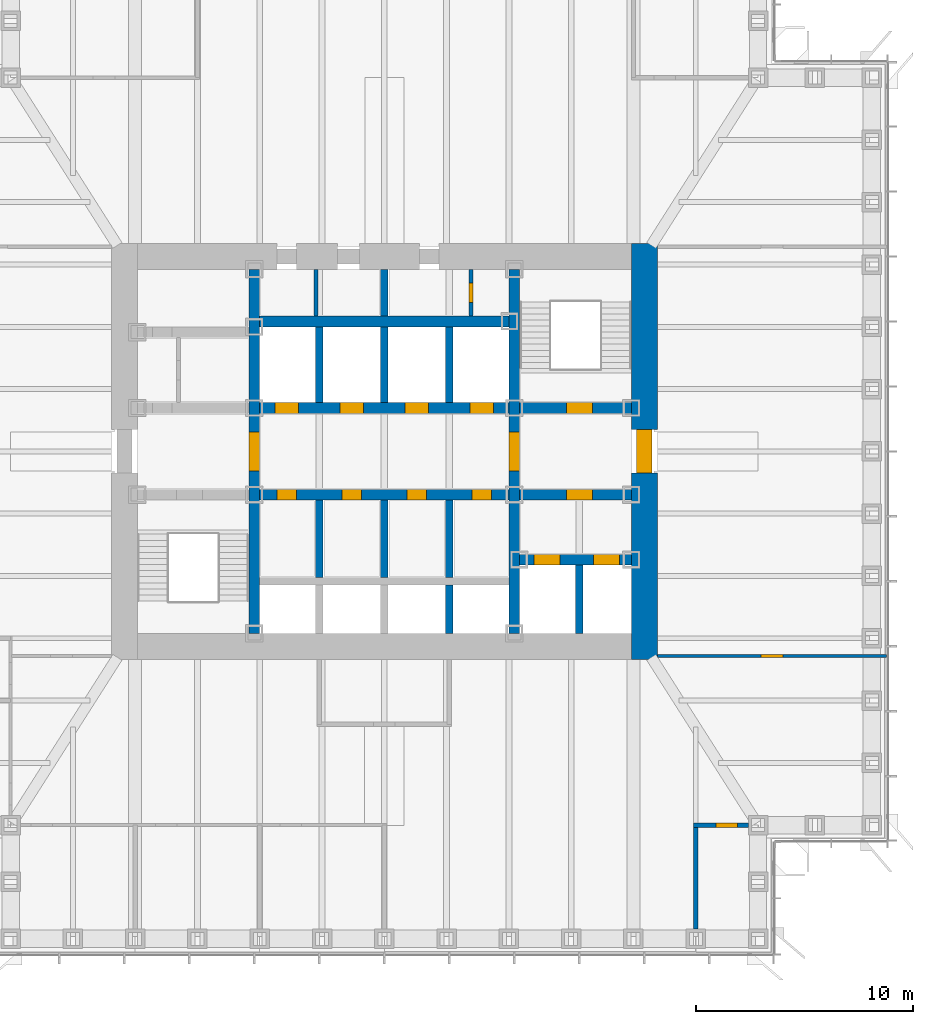
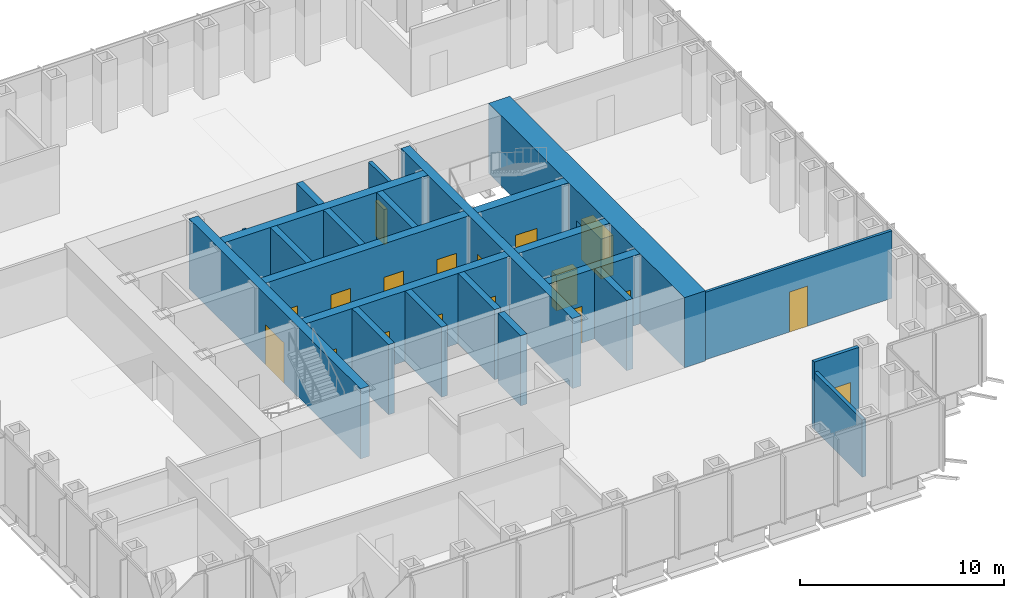
# One storey, part 9 of 17: 23 walls, 18 doors, 18 openings.
"""IFC4 building model written with IfcOpenShell, lengths in metres."""

from ifc_helpers import new_model, si_unit, direction, frame, frame_2d, origin, place, context, subcontext, project, spatial, rectangle, extrude, material, layer, layer_set, type_object, element, fill, save


model = new_model("IFC4")

# Units and contexts
model_context = context("Model", 3, precision=1e-05, world=origin(), true_north=direction((0.0, 1.0)))
body_context = subcontext(model_context, "Body", "Model", "MODEL_VIEW")
ifc_project = project(units=[si_unit("LENGTHUNIT", "METRE"), si_unit("AREAUNIT", "SQUARE_METRE"), si_unit("VOLUMEUNIT", "CUBIC_METRE"), si_unit("PLANEANGLEUNIT", "RADIAN"), si_unit("MASSUNIT", "GRAM", prefix="KILO")], contexts=[model_context])

# Site, building, storey
site_placement = place(None, origin())
site = spatial("IfcSite", under=ifc_project, at=site_placement, CompositionType="ELEMENT")
building_placement = place(site_placement, origin())
building = spatial("IfcBuilding", under=site, at=building_placement, Name="Daluyong Arena Tower", CompositionType="ELEMENT")
storey_placement = place(building_placement, frame((0.0, 0.0, 112.300048828125)))
storey = spatial("IfcBuildingStorey", under=building, at=storey_placement, Name="L24", CompositionType="ELEMENT", Elevation=112.300048828125)

# Wall, opening, door
ifc_material_1 = material(Name="Concrete fc' 45 MPa", Category="concrete")
ifc_layer_1 = layer(ifc_material_1, 0.5)
ifc_layer_set_1 = layer_set([ifc_layer_1], Name="Concrete fc' 45 MPa")
wall_type_1 = type_object("IfcWallType", Name="Core inner wall 500", PredefinedType="SHEAR", material=ifc_layer_set_1)
wall_1_placement = place(storey_placement, frame((50.0, 71.60009765625, 0.0), z_axis=(0.0, 0.0, 1.0), x_axis=(0.0, 1.0, 0.0)))
wall_1 = element("IfcWall", 1, at=wall_1_placement, inside=storey, type_object=wall_type_1, Name="core inner wall at L24", PredefinedType="SHEAR", context=body_context, shape_type="SweptSolid", body=[
    extrude(rectangle(XDim=16.7998046875, YDim=0.5, at=frame_2d((8.39990234375, 0.0))), origin(), (0.0, 0.0, 1.0), 4.199951171875),
])
opening_1_placement = place(wall_1_placement, frame((7.5, 0.0, 0.0)))
opening_1 = element("IfcOpeningElement", 2, at=opening_1_placement, cuts=wall_1, Name="Opening 24016", PredefinedType="OPENING", context=body_context, shape_type="SweptSolid", body=[
    extrude(rectangle(XDim=1.800048828125, YDim=2.39990234375, at=frame_2d((0.89990234375, 1.199951171875))), frame((0.0, 0.260009765625, 0.0), z_axis=(0.0, -1.0, 0.0), x_axis=(1.0, 0.0, 0.0)), (0.0, 0.0, 1.0), 0.52001953125),
])
ifc_material_2 = material(Name="Steel door, fire rated", Category="steel")
door_type_1 = type_object("IfcDoorType", Name="Lift lobby opening door 1800", OperationType="DOUBLE_DOOR_SINGLE_SWING", PredefinedType="DOOR", material=ifc_material_2)
door_1_placement = place(opening_1_placement, origin())
door_1 = element("IfcDoor", 3, at=door_1_placement, inside=storey, type_object=door_type_1, Name="lift lobby door west 24016", OperationType="DOUBLE_DOOR_SINGLE_SWING", OverallHeight=2.39990234375, OverallWidth=1.800048828125, PredefinedType="DOOR", context=body_context, shape_type="SweptSolid", body=[
    extrude(rectangle(XDim=1.800048828125, YDim=2.39990234375, at=frame_2d((0.89990234375, 1.199951171875))), frame((0.0, 0.249755859375, 0.0), z_axis=(0.0, -1.0, 0.0), x_axis=(1.0, 0.0, 0.0)), (0.0, 0.0, 1.0), 0.49951171875),
])
fill(opening_1, door_1)

wall_2_placement = place(storey_placement, frame((62.0, 71.60009765625, 0.0), z_axis=(0.0, 0.0, 1.0), x_axis=(0.0, 1.0, 0.0)))
wall_2 = element("IfcWall", 4, at=wall_2_placement, inside=storey, type_object=wall_type_1, Name="core inner wall at L24", PredefinedType="SHEAR", context=body_context, shape_type="SweptSolid", body=[
    extrude(rectangle(XDim=16.7998046875, YDim=0.5, at=frame_2d((8.39990234375, 0.0))), origin(), (0.0, 0.0, 1.0), 4.199951171875),
])
opening_2_placement = place(wall_2_placement, frame((7.5, 0.0, 0.0)))
opening_2 = element("IfcOpeningElement", 5, at=opening_2_placement, cuts=wall_2, Name="Opening 24017", PredefinedType="OPENING", context=body_context, shape_type="SweptSolid", body=[
    extrude(rectangle(XDim=1.800048828125, YDim=2.39990234375, at=frame_2d((0.89990234375, 1.199951171875))), frame((0.0, 0.260009765625, 0.0), z_axis=(0.0, -1.0, 0.0), x_axis=(1.0, 0.0, 0.0)), (0.0, 0.0, 1.0), 0.52001953125),
])
door_2_placement = place(opening_2_placement, origin())
door_2 = element("IfcDoor", 6, at=door_2_placement, inside=storey, type_object=door_type_1, Name="lift lobby door east 24017", OperationType="DOUBLE_DOOR_SINGLE_SWING", OverallHeight=2.39990234375, OverallWidth=1.800048828125, PredefinedType="DOOR", context=body_context, shape_type="SweptSolid", body=[
    extrude(rectangle(XDim=1.800048828125, YDim=2.39990234375, at=frame_2d((0.89990234375, 1.199951171875))), frame((0.0, 0.249755859375, 0.0), z_axis=(0.0, -1.0, 0.0), x_axis=(1.0, 0.0, 0.0)), (0.0, 0.0, 1.0), 0.49951171875),
])
fill(opening_2, door_2)

# Wall, openings, doors
wall_3_placement = place(storey_placement, frame((62.25, 75.0, 0.0), z_axis=(0.0, 0.0, 1.0), x_axis=(1.0, 0.0, 0.0)))
wall_3 = element("IfcWall", 7, at=wall_3_placement, inside=storey, type_object=wall_type_1, Name="core inner wall at L24", PredefinedType="SHEAR", context=body_context, shape_type="SweptSolid", body=[
    extrude(rectangle(XDim=5.14990234375, YDim=0.5, at=frame_2d((2.574951171875, 0.0))), origin(), (0.0, 0.0, 1.0), 4.199951171875),
])
opening_3_placement = place(wall_3_placement, frame((0.64990234375, 0.0, 0.0)))
opening_3 = element("IfcOpeningElement", 8, at=opening_3_placement, cuts=wall_3, Name="Opening 24023", PredefinedType="OPENING", context=body_context, shape_type="SweptSolid", body=[
    extrude(rectangle(XDim=1.199951171875, YDim=2.199951171875, at=frame_2d((0.60009765625, 1.10009765625))), frame((0.0, 0.260009765625, 0.0), z_axis=(0.0, -1.0, 0.0), x_axis=(1.0, 0.0, 0.0)), (0.0, 0.0, 1.0), 0.52001953125),
])
opening_4_placement = place(wall_3_placement, frame((3.39990234375, 0.0, 0.0)))
opening_4 = element("IfcOpeningElement", 9, at=opening_4_placement, cuts=wall_3, Name="Opening 24024", PredefinedType="OPENING", context=body_context, shape_type="SweptSolid", body=[
    extrude(rectangle(XDim=1.199951171875, YDim=2.199951171875, at=frame_2d((0.60009765625, 1.10009765625))), frame((0.0, 0.260009765625, 0.0), z_axis=(0.0, -1.0, 0.0), x_axis=(1.0, 0.0, 0.0)), (0.0, 0.0, 1.0), 0.52001953125),
])
ifc_material_3 = material(Name="Steel door, fire rated", Category="steel")
door_type_2 = type_object("IfcDoorType", Name="Firefighting lift landing door 1200", OperationType="SLIDING_TO_LEFT", PredefinedType="DOOR", material=ifc_material_3)
door_3_placement = place(opening_3_placement, origin())
door_3 = element("IfcDoor", 10, at=door_3_placement, inside=storey, type_object=door_type_2, Name="firefighting lift landing door F1 24023", OperationType="SLIDING_TO_LEFT", OverallHeight=2.199951171875, OverallWidth=1.199951171875, PredefinedType="DOOR", context=body_context, shape_type="SweptSolid", body=[
    extrude(rectangle(XDim=1.199951171875, YDim=2.199951171875, at=frame_2d((0.60009765625, 1.10009765625))), frame((0.0, 0.249755859375, 0.0), z_axis=(0.0, -1.0, 0.0), x_axis=(1.0, 0.0, 0.0)), (0.0, 0.0, 1.0), 0.49951171875),
])
fill(opening_3, door_3)
door_4_placement = place(opening_4_placement, origin())
door_4 = element("IfcDoor", 11, at=door_4_placement, inside=storey, type_object=door_type_2, Name="firefighting lift landing door F2 24024", OperationType="SLIDING_TO_LEFT", OverallHeight=2.199951171875, OverallWidth=1.199951171875, PredefinedType="DOOR", context=body_context, shape_type="SweptSolid", body=[
    extrude(rectangle(XDim=1.199951171875, YDim=2.199951171875, at=frame_2d((0.60009765625, 1.10009765625))), frame((0.0, 0.249755859375, 0.0), z_axis=(0.0, -1.0, 0.0), x_axis=(1.0, 0.0, 0.0)), (0.0, 0.0, 1.0), 0.49951171875),
])
fill(opening_4, door_4)

# Wall, opening, door
wall_4_placement = place(storey_placement, frame((62.25, 78.0, 0.0), z_axis=(0.0, 0.0, 1.0), x_axis=(1.0, 0.0, 0.0)))
wall_4 = element("IfcWall", 12, at=wall_4_placement, inside=storey, type_object=wall_type_1, Name="core inner wall at L24", PredefinedType="SHEAR", context=body_context, shape_type="SweptSolid", body=[
    extrude(rectangle(XDim=5.14990234375, YDim=0.5, at=frame_2d((2.574951171875, 0.0))), origin(), (0.0, 0.0, 1.0), 4.199951171875),
])
opening_5_placement = place(wall_4_placement, frame((2.14990234375, 0.0, 0.0)))
opening_5 = element("IfcOpeningElement", 13, at=opening_5_placement, cuts=wall_4, Name="Opening 24018", PredefinedType="OPENING", context=body_context, shape_type="SweptSolid", body=[
    extrude(rectangle(XDim=1.199951171875, YDim=2.10009765625, at=frame_2d((0.60009765625, 1.050048828125))), frame((0.0, 0.260009765625, 0.0), z_axis=(0.0, -1.0, 0.0), x_axis=(1.0, 0.0, 0.0)), (0.0, 0.0, 1.0), 0.52001953125),
])
ifc_material_4 = material(Name="Steel door, fire rated", Category="steel")
door_type_3 = type_object("IfcDoorType", Name="Firefighting lobby door 1200", OperationType="SINGLE_SWING_RIGHT", PredefinedType="DOOR", material=ifc_material_4)
door_5_placement = place(opening_5_placement, origin())
door_5 = element("IfcDoor", 14, at=door_5_placement, inside=storey, type_object=door_type_3, Name="firefighting lobby door 24018", OperationType="SINGLE_SWING_RIGHT", OverallHeight=2.10009765625, OverallWidth=1.199951171875, PredefinedType="DOOR", context=body_context, shape_type="SweptSolid", body=[
    extrude(rectangle(XDim=1.199951171875, YDim=2.10009765625, at=frame_2d((0.60009765625, 1.050048828125))), frame((0.0, 0.249755859375, 0.0), z_axis=(0.0, -1.0, 0.0), x_axis=(1.0, 0.0, 0.0)), (0.0, 0.0, 1.0), 0.49951171875),
])
fill(opening_5, door_5)

wall_5_placement = place(storey_placement, frame((62.25, 82.0, 0.0), z_axis=(0.0, 0.0, 1.0), x_axis=(1.0, 0.0, 0.0)))
wall_5 = element("IfcWall", 15, at=wall_5_placement, inside=storey, type_object=wall_type_1, Name="core inner wall at L24", PredefinedType="SHEAR", context=body_context, shape_type="SweptSolid", body=[
    extrude(rectangle(XDim=5.14990234375, YDim=0.5, at=frame_2d((2.574951171875, 0.0))), origin(), (0.0, 0.0, 1.0), 4.199951171875),
])
opening_6_placement = place(wall_5_placement, frame((2.14990234375, 0.0, 0.0)))
opening_6 = element("IfcOpeningElement", 16, at=opening_6_placement, cuts=wall_5, Name="Opening 24013", PredefinedType="OPENING", context=body_context, shape_type="SweptSolid", body=[
    extrude(rectangle(XDim=1.199951171875, YDim=2.10009765625, at=frame_2d((0.60009765625, 1.050048828125))), frame((0.0, 0.260009765625, 0.0), z_axis=(0.0, -1.0, 0.0), x_axis=(1.0, 0.0, 0.0)), (0.0, 0.0, 1.0), 0.52001953125),
])
ifc_material_5 = material(Name="Steel door, fire rated", Category="steel")
door_type_4 = type_object("IfcDoorType", Name="Stair door 1200", OperationType="SINGLE_SWING_LEFT", PredefinedType="DOOR", material=ifc_material_5)
door_6_placement = place(opening_6_placement, origin())
door_6 = element("IfcDoor", 17, at=door_6_placement, inside=storey, type_object=door_type_4, Name="stair B door 24013", OperationType="SINGLE_SWING_LEFT", OverallHeight=2.10009765625, OverallWidth=1.199951171875, PredefinedType="DOOR", context=body_context, shape_type="SweptSolid", body=[
    extrude(rectangle(XDim=1.199951171875, YDim=2.10009765625, at=frame_2d((0.60009765625, 1.050048828125))), frame((0.0, 0.249755859375, 0.0), z_axis=(0.0, -1.0, 0.0), x_axis=(1.0, 0.0, 0.0)), (0.0, 0.0, 1.0), 0.49951171875),
])
fill(opening_6, door_6)

# Wall, openings, doors
wall_6_placement = place(storey_placement, frame((50.25, 78.0, 0.0), z_axis=(0.0, 0.0, 1.0), x_axis=(1.0, 0.0, 0.0)))
wall_6 = element("IfcWall", 18, at=wall_6_placement, inside=storey, type_object=wall_type_1, Name="core inner wall at L24", PredefinedType="SHEAR", context=body_context, shape_type="SweptSolid", body=[
    extrude(rectangle(XDim=11.5, YDim=0.5, at=frame_2d((5.75, 0.0))), origin(), (0.0, 0.0, 1.0), 4.199951171875),
])
opening_7_placement = place(wall_6_placement, frame((0.800048828125, 0.0, 0.0)))
opening_7 = element("IfcOpeningElement", 19, at=opening_7_placement, cuts=wall_6, Name="Opening 24008", PredefinedType="OPENING", context=body_context, shape_type="SweptSolid", body=[
    extrude(rectangle(XDim=0.89990234375, YDim=2.10009765625, at=frame_2d((0.449951171875, 1.050048828125))), frame((0.0, 0.260009765625, 0.0), z_axis=(0.0, -1.0, 0.0), x_axis=(1.0, 0.0, 0.0)), (0.0, 0.0, 1.0), 0.52001953125),
])
opening_8_placement = place(wall_6_placement, frame((3.800048828125, 0.0, 0.0)))
opening_8 = element("IfcOpeningElement", 20, at=opening_8_placement, cuts=wall_6, Name="Opening 24009", PredefinedType="OPENING", context=body_context, shape_type="SweptSolid", body=[
    extrude(rectangle(XDim=0.89990234375, YDim=2.10009765625, at=frame_2d((0.449951171875, 1.050048828125))), frame((0.0, 0.260009765625, 0.0), z_axis=(0.0, -1.0, 0.0), x_axis=(1.0, 0.0, 0.0)), (0.0, 0.0, 1.0), 0.52001953125),
])
opening_9_placement = place(wall_6_placement, frame((6.800048828125, 0.0, 0.0)))
opening_9 = element("IfcOpeningElement", 21, at=opening_9_placement, cuts=wall_6, Name="Opening 24010", PredefinedType="OPENING", context=body_context, shape_type="SweptSolid", body=[
    extrude(rectangle(XDim=0.89990234375, YDim=2.10009765625, at=frame_2d((0.449951171875, 1.050048828125))), frame((0.0, 0.260009765625, 0.0), z_axis=(0.0, -1.0, 0.0), x_axis=(1.0, 0.0, 0.0)), (0.0, 0.0, 1.0), 0.52001953125),
])
opening_10_placement = place(wall_6_placement, frame((9.800048828125, 0.0, 0.0)))
opening_10 = element("IfcOpeningElement", 22, at=opening_10_placement, cuts=wall_6, Name="Opening 24011", PredefinedType="OPENING", context=body_context, shape_type="SweptSolid", body=[
    extrude(rectangle(XDim=0.89990234375, YDim=2.10009765625, at=frame_2d((0.449951171875, 1.050048828125))), frame((0.0, 0.260009765625, 0.0), z_axis=(0.0, -1.0, 0.0), x_axis=(1.0, 0.0, 0.0)), (0.0, 0.0, 1.0), 0.52001953125),
])
ifc_material_6 = material(Name="Steel door, fire rated", Category="steel")
door_type_5 = type_object("IfcDoorType", Name="Core room door 900", OperationType="SINGLE_SWING_LEFT", PredefinedType="DOOR", material=ifc_material_6)
door_7_placement = place(opening_7_placement, origin())
door_7 = element("IfcDoor", 23, at=door_7_placement, inside=storey, type_object=door_type_5, Name="vending room door 24008", OperationType="SINGLE_SWING_LEFT", OverallHeight=2.10009765625, OverallWidth=0.89990234375, PredefinedType="DOOR", context=body_context, shape_type="SweptSolid", body=[
    extrude(rectangle(XDim=0.89990234375, YDim=2.10009765625, at=frame_2d((0.449951171875, 1.050048828125))), frame((0.0, 0.249755859375, 0.0), z_axis=(0.0, -1.0, 0.0), x_axis=(1.0, 0.0, 0.0)), (0.0, 0.0, 1.0), 0.49951171875),
])
fill(opening_7, door_7)
door_8_placement = place(opening_10_placement, origin())
door_8 = element("IfcDoor", 24, at=door_8_placement, inside=storey, type_object=door_type_5, Name="mail room door 24011", OperationType="SINGLE_SWING_LEFT", OverallHeight=2.10009765625, OverallWidth=0.89990234375, PredefinedType="DOOR", context=body_context, shape_type="SweptSolid", body=[
    extrude(rectangle(XDim=0.89990234375, YDim=2.10009765625, at=frame_2d((0.449951171875, 1.050048828125))), frame((0.0, 0.249755859375, 0.0), z_axis=(0.0, -1.0, 0.0), x_axis=(1.0, 0.0, 0.0)), (0.0, 0.0, 1.0), 0.49951171875),
])
fill(opening_10, door_8)
ifc_material_7 = material(Name="Steel door, fire rated", Category="steel")
door_type_6 = type_object("IfcDoorType", Name="Core store door 900", OperationType="SINGLE_SWING_LEFT", PredefinedType="DOOR", material=ifc_material_7)
door_9_placement = place(opening_8_placement, origin())
door_9 = element("IfcDoor", 25, at=door_9_placement, inside=storey, type_object=door_type_6, Name="furniture store door 24009", OperationType="SINGLE_SWING_LEFT", OverallHeight=2.10009765625, OverallWidth=0.89990234375, PredefinedType="DOOR", context=body_context, shape_type="SweptSolid", body=[
    extrude(rectangle(XDim=0.89990234375, YDim=2.10009765625, at=frame_2d((0.449951171875, 1.050048828125))), frame((0.0, 0.249755859375, 0.0), z_axis=(0.0, -1.0, 0.0), x_axis=(1.0, 0.0, 0.0)), (0.0, 0.0, 1.0), 0.49951171875),
])
fill(opening_8, door_9)
door_10_placement = place(opening_9_placement, origin())
door_10 = element("IfcDoor", 26, at=door_10_placement, inside=storey, type_object=door_type_6, Name="tenant store door 24010", OperationType="SINGLE_SWING_LEFT", OverallHeight=2.10009765625, OverallWidth=0.89990234375, PredefinedType="DOOR", context=body_context, shape_type="SweptSolid", body=[
    extrude(rectangle(XDim=0.89990234375, YDim=2.10009765625, at=frame_2d((0.449951171875, 1.050048828125))), frame((0.0, 0.249755859375, 0.0), z_axis=(0.0, -1.0, 0.0), x_axis=(1.0, 0.0, 0.0)), (0.0, 0.0, 1.0), 0.49951171875),
])
fill(opening_9, door_10)

wall_7_placement = place(storey_placement, frame((50.25, 82.0, 0.0), z_axis=(0.0, 0.0, 1.0), x_axis=(1.0, 0.0, 0.0)))
wall_7 = element("IfcWall", 27, at=wall_7_placement, inside=storey, type_object=wall_type_1, Name="core inner wall at L24", PredefinedType="SHEAR", context=body_context, shape_type="SweptSolid", body=[
    extrude(rectangle(XDim=11.5, YDim=0.5, at=frame_2d((5.75, 0.0))), origin(), (0.0, 0.0, 1.0), 4.199951171875),
])
opening_11_placement = place(wall_7_placement, frame((0.699951171875, 0.0, 0.0)))
opening_11 = element("IfcOpeningElement", 28, at=opening_11_placement, cuts=wall_7, Name="Opening 24019", PredefinedType="OPENING", context=body_context, shape_type="SweptSolid", body=[
    extrude(rectangle(XDim=1.10009765625, YDim=2.199951171875, at=frame_2d((0.550048828125, 1.10009765625))), frame((0.0, 0.260009765625, 0.0), z_axis=(0.0, -1.0, 0.0), x_axis=(1.0, 0.0, 0.0)), (0.0, 0.0, 1.0), 0.52001953125),
])
opening_12_placement = place(wall_7_placement, frame((3.699951171875, 0.0, 0.0)))
opening_12 = element("IfcOpeningElement", 29, at=opening_12_placement, cuts=wall_7, Name="Opening 24020", PredefinedType="OPENING", context=body_context, shape_type="SweptSolid", body=[
    extrude(rectangle(XDim=1.10009765625, YDim=2.199951171875, at=frame_2d((0.550048828125, 1.10009765625))), frame((0.0, 0.260009765625, 0.0), z_axis=(0.0, -1.0, 0.0), x_axis=(1.0, 0.0, 0.0)), (0.0, 0.0, 1.0), 0.52001953125),
])
opening_13_placement = place(wall_7_placement, frame((6.699951171875, 0.0, 0.0)))
opening_13 = element("IfcOpeningElement", 30, at=opening_13_placement, cuts=wall_7, Name="Opening 24021", PredefinedType="OPENING", context=body_context, shape_type="SweptSolid", body=[
    extrude(rectangle(XDim=1.10009765625, YDim=2.199951171875, at=frame_2d((0.550048828125, 1.10009765625))), frame((0.0, 0.260009765625, 0.0), z_axis=(0.0, -1.0, 0.0), x_axis=(1.0, 0.0, 0.0)), (0.0, 0.0, 1.0), 0.52001953125),
])
opening_14_placement = place(wall_7_placement, frame((9.699951171875, 0.0, 0.0)))
opening_14 = element("IfcOpeningElement", 31, at=opening_14_placement, cuts=wall_7, Name="Opening 24022", PredefinedType="OPENING", context=body_context, shape_type="SweptSolid", body=[
    extrude(rectangle(XDim=1.10009765625, YDim=2.199951171875, at=frame_2d((0.550048828125, 1.10009765625))), frame((0.0, 0.260009765625, 0.0), z_axis=(0.0, -1.0, 0.0), x_axis=(1.0, 0.0, 0.0)), (0.0, 0.0, 1.0), 0.52001953125),
])
ifc_material_8 = material(Name="Steel door, fire rated", Category="steel")
door_type_7 = type_object("IfcDoorType", Name="Lift landing door 1100", OperationType="SLIDING_TO_LEFT", PredefinedType="DOOR", material=ifc_material_8)
door_11_placement = place(opening_11_placement, origin())
door_11 = element("IfcDoor", 32, at=door_11_placement, inside=storey, type_object=door_type_7, Name="lift landing door B1 24019", OperationType="SLIDING_TO_LEFT", OverallHeight=2.199951171875, OverallWidth=1.10009765625, PredefinedType="DOOR", context=body_context, shape_type="SweptSolid", body=[
    extrude(rectangle(XDim=1.10009765625, YDim=2.199951171875, at=frame_2d((0.550048828125, 1.10009765625))), frame((0.0, 0.249755859375, 0.0), z_axis=(0.0, -1.0, 0.0), x_axis=(1.0, 0.0, 0.0)), (0.0, 0.0, 1.0), 0.49951171875),
])
fill(opening_11, door_11)
door_12_placement = place(opening_12_placement, origin())
door_12 = element("IfcDoor", 33, at=door_12_placement, inside=storey, type_object=door_type_7, Name="lift landing door B2 24020", OperationType="SLIDING_TO_LEFT", OverallHeight=2.199951171875, OverallWidth=1.10009765625, PredefinedType="DOOR", context=body_context, shape_type="SweptSolid", body=[
    extrude(rectangle(XDim=1.10009765625, YDim=2.199951171875, at=frame_2d((0.550048828125, 1.10009765625))), frame((0.0, 0.249755859375, 0.0), z_axis=(0.0, -1.0, 0.0), x_axis=(1.0, 0.0, 0.0)), (0.0, 0.0, 1.0), 0.49951171875),
])
fill(opening_12, door_12)
door_13_placement = place(opening_13_placement, origin())
door_13 = element("IfcDoor", 34, at=door_13_placement, inside=storey, type_object=door_type_7, Name="lift landing door B3 24021", OperationType="SLIDING_TO_LEFT", OverallHeight=2.199951171875, OverallWidth=1.10009765625, PredefinedType="DOOR", context=body_context, shape_type="SweptSolid", body=[
    extrude(rectangle(XDim=1.10009765625, YDim=2.199951171875, at=frame_2d((0.550048828125, 1.10009765625))), frame((0.0, 0.249755859375, 0.0), z_axis=(0.0, -1.0, 0.0), x_axis=(1.0, 0.0, 0.0)), (0.0, 0.0, 1.0), 0.49951171875),
])
fill(opening_13, door_13)
door_14_placement = place(opening_14_placement, origin())
door_14 = element("IfcDoor", 35, at=door_14_placement, inside=storey, type_object=door_type_7, Name="lift landing door B4 24022", OperationType="SLIDING_TO_LEFT", OverallHeight=2.199951171875, OverallWidth=1.10009765625, PredefinedType="DOOR", context=body_context, shape_type="SweptSolid", body=[
    extrude(rectangle(XDim=1.10009765625, YDim=2.199951171875, at=frame_2d((0.550048828125, 1.10009765625))), frame((0.0, 0.249755859375, 0.0), z_axis=(0.0, -1.0, 0.0), x_axis=(1.0, 0.0, 0.0)), (0.0, 0.0, 1.0), 0.49951171875),
])
fill(opening_14, door_14)

# Wall
wall_8_placement = place(storey_placement, frame((50.25, 86.0, 0.0), z_axis=(0.0, 0.0, 1.0), x_axis=(1.0, 0.0, 0.0)))
element("IfcWall", 36, at=wall_8_placement, inside=storey, type_object=wall_type_1, Name="core inner wall at L24", PredefinedType="SHEAR", context=body_context, shape_type="SweptSolid", body=[
    extrude(rectangle(XDim=11.5, YDim=0.5, at=frame_2d((5.75, 0.0))), origin(), (0.0, 0.0, 1.0), 4.199951171875),
])

# Wall, opening, door
ifc_material_9 = material(Name="Concrete fc' 60 MPa", Category="concrete")
ifc_layer_2 = layer(ifc_material_9, 1.199951171875)
ifc_layer_set_2 = layer_set([ifc_layer_2], Name="Concrete fc' 60 MPa")
wall_type_2 = type_object("IfcWallType", Name="Core wall 1200", PredefinedType="SHEAR", material=ifc_layer_set_2)
wall_9_placement = place(storey_placement, frame((68.0, 70.39990234375, 0.0), z_axis=(0.0, 0.0, 1.0), x_axis=(0.0, 1.0, 0.0)))
wall_9 = element("IfcWall", 37, at=wall_9_placement, inside=storey, type_object=wall_type_2, Name="core wall at L24", PredefinedType="SHEAR", context=body_context, shape_type="SweptSolid", body=[
    extrude(rectangle(XDim=19.2001953125, YDim=1.199951171875, at=frame_2d((9.60009765625, 0.0))), origin(), (0.0, 0.0, 1.0), 4.199951171875),
])
opening_15_placement = place(wall_9_placement, frame((8.60009765625, 0.0, 0.0)))
opening_15 = element("IfcOpeningElement", 38, at=opening_15_placement, cuts=wall_9, Name="Opening 24015", PredefinedType="OPENING", context=body_context, shape_type="SweptSolid", body=[
    extrude(rectangle(XDim=2.0, YDim=2.39990234375, at=frame_2d((1.0, 1.199951171875))), frame((0.0, 0.60986328125, 0.0), z_axis=(0.0, -1.0, 0.0), x_axis=(1.0, 0.0, 0.0)), (0.0, 0.0, 1.0), 1.219970703125),
])
ifc_material_10 = material(Name="Steel door, fire rated", Category="steel")
door_type_8 = type_object("IfcDoorType", Name="Core lobby double door 2000", OperationType="DOUBLE_DOOR_SINGLE_SWING", PredefinedType="DOOR", material=ifc_material_10)
door_15_placement = place(opening_15_placement, origin())
door_15 = element("IfcDoor", 39, at=door_15_placement, inside=storey, type_object=door_type_8, Name="core lobby door east 24015", OperationType="DOUBLE_DOOR_SINGLE_SWING", OverallHeight=2.39990234375, OverallWidth=2.0, PredefinedType="DOOR", context=body_context, shape_type="SweptSolid", body=[
    extrude(rectangle(XDim=2.0, YDim=2.39990234375, at=frame_2d((1.0, 1.199951171875))), frame((0.0, 0.35009765625, 0.0), z_axis=(0.0, -1.0, 0.0), x_axis=(1.0, 0.0, 0.0)), (0.0, 0.0, 1.0), 0.699951171875),
])
fill(opening_15, door_15)

# Wall
ifc_material_11 = material(Name="Concrete block partition, fire rated", Category="concrete")
ifc_layer_3 = layer(ifc_material_11, 0.199951171875)
ifc_layer_set_3 = layer_set([ifc_layer_3], Name="Concrete block partition, fire rated")
wall_type_3 = type_object("IfcWallType", Name="Fire-rated partition 200", PredefinedType="PARTITIONING", material=ifc_layer_set_3)
wall_10_placement = place(storey_placement, frame((52.85009765625, 86.25, 0.0), z_axis=(0.0, 0.0, 1.0), x_axis=(0.0, 1.0, 0.0)))
element("IfcWall", 40, at=wall_10_placement, inside=storey, type_object=wall_type_3, Name="core room partition at L24", PredefinedType="PARTITIONING", context=body_context, shape_type="SweptSolid", body=[
    extrude(rectangle(XDim=2.14990234375, YDim=0.199951171875, at=frame_2d((1.074951171875, 0.0))), origin(), (0.0, 0.0, 1.0), 2.5400390625),
])

# Wall, opening, door
wall_11_placement = place(storey_placement, frame((60.0, 86.25, 0.0), z_axis=(0.0, 0.0, 1.0), x_axis=(0.0, 1.0, 0.0)))
wall_11 = element("IfcWall", 41, at=wall_11_placement, inside=storey, type_object=wall_type_3, Name="electrical riser enclosure at L24", PredefinedType="PARTITIONING", context=body_context, shape_type="SweptSolid", body=[
    extrude(rectangle(XDim=2.14990234375, YDim=0.199951171875, at=frame_2d((1.074951171875, 0.0))), origin(), (0.0, 0.0, 1.0), 4.0400390625),
])
opening_16_placement = place(wall_11_placement, frame((0.625, 0.0, 0.0)))
opening_16 = element("IfcOpeningElement", 42, at=opening_16_placement, cuts=wall_11, Name="Opening 24007", PredefinedType="OPENING", context=body_context, shape_type="SweptSolid", body=[
    extrude(rectangle(XDim=0.89990234375, YDim=2.10009765625, at=frame_2d((0.449951171875, 1.050048828125))), frame((0.0, 0.10986328125, 0.0), z_axis=(0.0, -1.0, 0.0), x_axis=(1.0, 0.0, 0.0)), (0.0, 0.0, 1.0), 0.219970703125),
])
ifc_material_12 = material(Name="Steel door, fire rated", Category="steel")
door_type_9 = type_object("IfcDoorType", Name="Riser door 900", OperationType="SINGLE_SWING_LEFT", PredefinedType="DOOR", material=ifc_material_12)
door_16_placement = place(opening_16_placement, origin())
door_16 = element("IfcDoor", 43, at=door_16_placement, inside=storey, type_object=door_type_9, Name="riser door 24007", OperationType="SINGLE_SWING_LEFT", OverallHeight=2.10009765625, OverallWidth=0.89990234375, PredefinedType="DOOR", context=body_context, shape_type="SweptSolid", body=[
    extrude(rectangle(XDim=0.89990234375, YDim=2.10009765625, at=frame_2d((0.449951171875, 1.050048828125))), frame((0.0, 0.099609375, 0.0), z_axis=(0.0, -1.0, 0.0), x_axis=(1.0, 0.0, 0.0)), (0.0, 0.0, 1.0), 0.199462890625),
])
fill(opening_16, door_16)

ifc_material_13 = material(Name="Glazed aluminium partition", Category="aluminium")
ifc_layer_4 = layer(ifc_material_13, 0.14990234375)
ifc_layer_set_4 = layer_set([ifc_layer_4], Name="Glazed aluminium partition")
wall_type_4 = type_object("IfcWallType", Name="Glazed partition 150", PredefinedType="PARTITIONING", material=ifc_layer_set_4)
wall_12_placement = place(storey_placement, frame((68.60009765625, 70.550048828125, 0.0), z_axis=(0.0, 0.0, 1.0), x_axis=(1.0, 0.0, 0.0)))
wall_12 = element("IfcWall", 44, at=wall_12_placement, inside=storey, type_object=wall_type_4, Name="glazed partition at L24", PredefinedType="PARTITIONING", context=body_context, shape_type="SweptSolid", body=[
    extrude(rectangle(XDim=10.58984375, YDim=0.14990234375, at=frame_2d((5.294921875, 0.0))), origin(), (0.0, 0.0, 1.0), 4.0400390625),
])
opening_17_placement = place(wall_12_placement, frame((4.794921875, 0.0, 0.0)))
opening_17 = element("IfcOpeningElement", 45, at=opening_17_placement, cuts=wall_12, Name="Opening 24036", PredefinedType="OPENING", context=body_context, shape_type="SweptSolid", body=[
    extrude(rectangle(XDim=1.0, YDim=2.39990234375, at=frame_2d((0.5, 1.199951171875))), frame((0.0, 0.0849609375, 0.0), z_axis=(0.0, -1.0, 0.0), x_axis=(1.0, 0.0, 0.0)), (0.0, 0.0, 1.0), 0.169921875),
])
ifc_material_14 = material(Name="Glazed aluminium door", Category="aluminium")
door_type_10 = type_object("IfcDoorType", Name="Meeting room glazed door 1000", OperationType="SINGLE_SWING_RIGHT", PredefinedType="DOOR", material=ifc_material_14)
door_17_placement = place(opening_17_placement, origin())
door_17 = element("IfcDoor", 46, at=door_17_placement, inside=storey, type_object=door_type_10, Name="team area screen door 24036", OperationType="SINGLE_SWING_RIGHT", OverallHeight=2.39990234375, OverallWidth=1.0, PredefinedType="DOOR", context=body_context, shape_type="SweptSolid", body=[
    extrude(rectangle(XDim=1.0, YDim=2.39990234375, at=frame_2d((0.5, 1.199951171875))), frame((0.0, 0.07470703125, 0.0), z_axis=(0.0, -1.0, 0.0), x_axis=(1.0, 0.0, 0.0)), (0.0, 0.0, 1.0), 0.1494140625),
])
fill(opening_17, door_17)

# Walls
ifc_material_15 = material(Name="Concrete fc' 45 MPa", Category="concrete")
ifc_layer_5 = layer(ifc_material_15, 0.35009765625)
ifc_layer_set_5 = layer_set([ifc_layer_5], Name="Concrete fc' 45 MPa")
wall_type_5 = type_object("IfcWallType", Name="Lift shaft wall 350", PredefinedType="SHEAR", material=ifc_layer_set_5)
wall_13_placement = place(storey_placement, frame((53.0, 74.175048828125, 0.0), z_axis=(0.0, 0.0, 1.0), x_axis=(0.0, 1.0, 0.0)))
element("IfcWall", 47, at=wall_13_placement, inside=storey, type_object=wall_type_5, Name="lift shaft wall at L24", PredefinedType="SHEAR", context=body_context, shape_type="SweptSolid", body=[
    extrude(rectangle(XDim=3.574951171875, YDim=0.35009765625, at=frame_2d((1.78759765625, 0.0))), origin(), (0.0, 0.0, 1.0), 4.199951171875),
])
wall_14_placement = place(storey_placement, frame((53.0, 82.25, 0.0), z_axis=(0.0, 0.0, 1.0), x_axis=(0.0, 1.0, 0.0)))
element("IfcWall", 48, at=wall_14_placement, inside=storey, type_object=wall_type_5, Name="lift shaft wall at L24", PredefinedType="SHEAR", context=body_context, shape_type="SweptSolid", body=[
    extrude(rectangle(XDim=3.5, YDim=0.35009765625, at=frame_2d((1.75, 0.0))), origin(), (0.0, 0.0, 1.0), 4.199951171875),
])
wall_15_placement = place(storey_placement, frame((56.0, 74.175048828125, 0.0), z_axis=(0.0, 0.0, 1.0), x_axis=(0.0, 1.0, 0.0)))
element("IfcWall", 49, at=wall_15_placement, inside=storey, type_object=wall_type_5, Name="lift shaft wall at L24", PredefinedType="SHEAR", context=body_context, shape_type="SweptSolid", body=[
    extrude(rectangle(XDim=3.574951171875, YDim=0.35009765625, at=frame_2d((1.78759765625, 0.0))), origin(), (0.0, 0.0, 1.0), 4.199951171875),
])
wall_16_placement = place(storey_placement, frame((56.0, 82.25, 0.0), z_axis=(0.0, 0.0, 1.0), x_axis=(0.0, 1.0, 0.0)))
element("IfcWall", 50, at=wall_16_placement, inside=storey, type_object=wall_type_5, Name="lift shaft wall at L24", PredefinedType="SHEAR", context=body_context, shape_type="SweptSolid", body=[
    extrude(rectangle(XDim=3.5, YDim=0.35009765625, at=frame_2d((1.75, 0.0))), origin(), (0.0, 0.0, 1.0), 4.199951171875),
])
wall_17_placement = place(storey_placement, frame((59.0, 71.60009765625, 0.0), z_axis=(0.0, 0.0, 1.0), x_axis=(0.0, 1.0, 0.0)))
element("IfcWall", 51, at=wall_17_placement, inside=storey, type_object=wall_type_5, Name="lift shaft wall at L24", PredefinedType="SHEAR", context=body_context, shape_type="SweptSolid", body=[
    extrude(rectangle(XDim=2.224853515625, YDim=0.35009765625, at=frame_2d((1.1123046875, 0.0))), origin(), (0.0, 0.0, 1.0), 4.199951171875),
])
wall_18_placement = place(storey_placement, frame((59.0, 74.175048828125, 0.0), z_axis=(0.0, 0.0, 1.0), x_axis=(0.0, 1.0, 0.0)))
element("IfcWall", 52, at=wall_18_placement, inside=storey, type_object=wall_type_5, Name="lift shaft wall at L24", PredefinedType="SHEAR", context=body_context, shape_type="SweptSolid", body=[
    extrude(rectangle(XDim=3.574951171875, YDim=0.35009765625, at=frame_2d((1.78759765625, 0.0))), origin(), (0.0, 0.0, 1.0), 4.199951171875),
])
wall_19_placement = place(storey_placement, frame((59.0, 82.25, 0.0), z_axis=(0.0, 0.0, 1.0), x_axis=(0.0, 1.0, 0.0)))
element("IfcWall", 53, at=wall_19_placement, inside=storey, type_object=wall_type_5, Name="lift shaft wall at L24", PredefinedType="SHEAR", context=body_context, shape_type="SweptSolid", body=[
    extrude(rectangle(XDim=3.5, YDim=0.35009765625, at=frame_2d((1.75, 0.0))), origin(), (0.0, 0.0, 1.0), 4.199951171875),
])
wall_20_placement = place(storey_placement, frame((65.0, 71.60009765625, 0.0), z_axis=(0.0, 0.0, 1.0), x_axis=(0.0, 1.0, 0.0)))
element("IfcWall", 54, at=wall_20_placement, inside=storey, type_object=wall_type_5, Name="lift shaft wall at L24", PredefinedType="SHEAR", context=body_context, shape_type="SweptSolid", body=[
    extrude(rectangle(XDim=3.14990234375, YDim=0.35009765625, at=frame_2d((1.574951171875, 0.0))), origin(), (0.0, 0.0, 1.0), 4.199951171875),
])
wall_21_placement = place(storey_placement, frame((56.0, 86.25, 0.0), z_axis=(0.0, 0.0, 1.0), x_axis=(0.0, 1.0, 0.0)))
element("IfcWall", 55, at=wall_21_placement, inside=storey, type_object=wall_type_5, Name="lift shaft wall at L24", PredefinedType="SHEAR", context=body_context, shape_type="SweptSolid", body=[
    extrude(rectangle(XDim=2.14990234375, YDim=0.35009765625, at=frame_2d((1.074951171875, 0.0))), origin(), (0.0, 0.0, 1.0), 4.199951171875),
])
ifc_material_16 = material(Name="Concrete block partition", Category="concrete")
ifc_layer_6 = layer(ifc_material_16, 0.199951171875)
ifc_layer_set_6 = layer_set([ifc_layer_6], Name="Concrete block partition")
wall_type_6 = type_object("IfcWallType", Name="Partition 200", PredefinedType="PARTITIONING", material=ifc_layer_set_6)
wall_22_placement = place(storey_placement, frame((70.375, 57.949951171875, 0.0), z_axis=(0.0, 0.0, 1.0), x_axis=(0.0, 1.0, 0.0)))
element("IfcWall", 56, at=wall_22_placement, inside=storey, type_object=wall_type_6, Name="partition at L24", PredefinedType="PARTITIONING", context=body_context, shape_type="SweptSolid", body=[
    extrude(rectangle(XDim=4.800048828125, YDim=0.199951171875, at=frame_2d((2.39990234375, 0.0))), origin(), (0.0, 0.0, 1.0), 3.427734375),
])

# Wall, opening, door
wall_23_placement = place(storey_placement, frame((70.27490234375, 62.75, 0.0), z_axis=(0.0, 0.0, 1.0), x_axis=(1.0, 0.0, 0.0)))
wall_23 = element("IfcWall", 57, at=wall_23_placement, inside=storey, type_object=wall_type_6, Name="partition at L24", PredefinedType="PARTITIONING", context=body_context, shape_type="SweptSolid", body=[
    extrude(rectangle(XDim=2.525146484375, YDim=0.199951171875, at=frame_2d((1.2626953125, 0.0))), origin(), (0.0, 0.0, 1.0), 4.0400390625),
])
opening_18_placement = place(wall_23_placement, frame((1.03759765625, 0.0, 0.0)))
opening_18 = element("IfcOpeningElement", 58, at=opening_18_placement, cuts=wall_23, Name="Opening 24028", PredefinedType="OPENING", context=body_context, shape_type="SweptSolid", body=[
    extrude(rectangle(XDim=1.0, YDim=2.10009765625, at=frame_2d((0.5, 1.050048828125))), frame((0.0, 0.10986328125, 0.0), z_axis=(0.0, -1.0, 0.0), x_axis=(1.0, 0.0, 0.0)), (0.0, 0.0, 1.0), 0.219970703125),
])
ifc_material_17 = material(Name="Timber door", Category="wood")
door_type_11 = type_object("IfcDoorType", Name="Room door 1000", OperationType="SINGLE_SWING_LEFT", PredefinedType="DOOR", material=ifc_material_17)
door_18_placement = place(opening_18_placement, origin())
door_18 = element("IfcDoor", 59, at=door_18_placement, inside=storey, type_object=door_type_11, Name="wellness room door 24028", OperationType="SINGLE_SWING_LEFT", OverallHeight=2.10009765625, OverallWidth=1.0, PredefinedType="DOOR", context=body_context, shape_type="SweptSolid", body=[
    extrude(rectangle(XDim=1.0, YDim=2.10009765625, at=frame_2d((0.5, 1.050048828125))), frame((0.0, 0.099609375, 0.0), z_axis=(0.0, -1.0, 0.0), x_axis=(1.0, 0.0, 0.0)), (0.0, 0.0, 1.0), 0.199462890625),
])
fill(opening_18, door_18)

save(model, "model.ifc")
